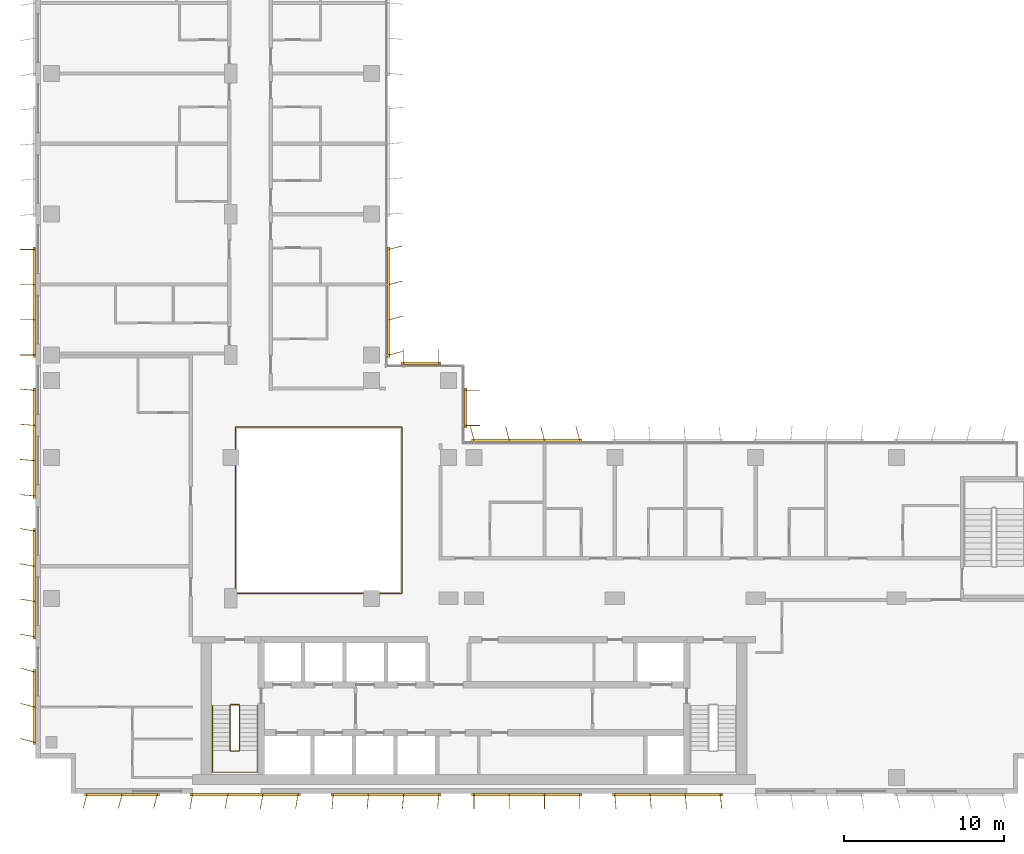
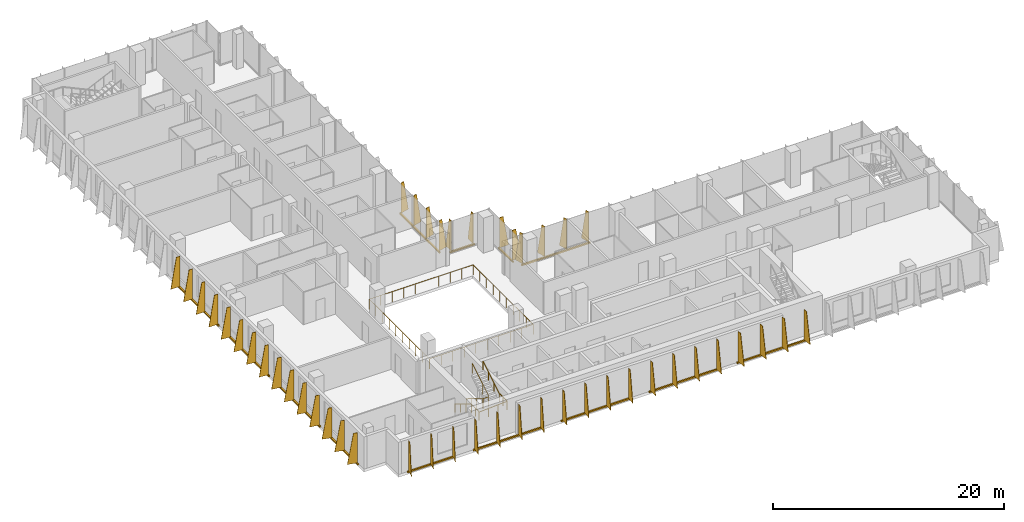
# One storey, part 19 of 21: 13 shading devices, 3 railings.
"""IFC4 building model written with IfcOpenShell, lengths in metres."""

from ifc_helpers import new_model, si_unit, direction, frame, origin, origin_2d, place, context, subcontext, project, spatial, polyline, rectangle, circle, outline, extrude, source, transform, mapped, material, layer, layer_set, type_object, element, save


model = new_model("IFC4")

# Units and contexts
model_context = context("Model", 3, precision=1e-05, world=origin(), true_north=direction((0.0, 1.0)))
body_context = subcontext(model_context, "Body", "Model", "MODEL_VIEW")
ifc_project = project(units=[si_unit("LENGTHUNIT", "METRE"), si_unit("AREAUNIT", "SQUARE_METRE"), si_unit("VOLUMEUNIT", "CUBIC_METRE"), si_unit("PLANEANGLEUNIT", "RADIAN"), si_unit("MASSUNIT", "GRAM", prefix="KILO")], contexts=[model_context])

# Site, building, storey
site_placement = place(None, origin())
site = spatial("IfcSite", under=ifc_project, at=site_placement, CompositionType="ELEMENT")
building_placement = place(site_placement, origin())
building = spatial("IfcBuilding", under=site, at=building_placement, Name="Kemantara Hotel Tower", CompositionType="ELEMENT")
storey_placement = place(building_placement, frame((0.0, 0.0, 182.699951171875)))
storey = spatial("IfcBuildingStorey", under=building, at=storey_placement, Name="L45", CompositionType="ELEMENT", Elevation=182.699951171875)

# Railings
ifc_material_1 = material(Name="Stainless steel and laminated glass balustrade", Category="steel")
railing_type_1 = type_object("IfcRailingType", Name="ATRIUM GUARD 1100", PredefinedType="GUARDRAIL", material=ifc_material_1)
railing_1_placement = place(storey_placement, frame((12.56005859375, 12.5, 0.0)))
element("IfcRailing", 1, at=railing_1_placement, inside=storey, type_object=railing_type_1, Name="ATRIUM GUARD L45", PredefinedType="GUARDRAIL", context=body_context, shape_type="SweptSolid", body=[
    extrude(circle(Radius=0.02490234375, at=origin_2d()), frame((0.0, 0.0, 1.0751953125), z_axis=(1.0, 0.0, 0.0), x_axis=(0.0, 1.0, 0.0)), (0.0, 0.0, 1.0), 10.33984375),
    extrude(circle(Radius=0.02490234375, at=origin_2d()), frame((10.33984375, 0.0, 1.0751953125), z_axis=(0.0, 1.0, 0.0), x_axis=(-1.0, 0.0, 0.0)), (0.0, 0.0, 1.0), 10.39990234375),
    extrude(circle(Radius=0.02490234375, at=origin_2d()), frame((10.33984375, 10.39990234375, 1.0751953125), z_axis=(-1.0, 0.0, 0.0), x_axis=(0.0, -1.0, 0.0)), (0.0, 0.0, 1.0), 10.39990234375),
    extrude(circle(Radius=0.02490234375, at=origin_2d()), frame((-0.06005859375, 10.39990234375, 1.0751953125), z_axis=(0.0, -1.0, 0.0), x_axis=(1.0, 0.0, 0.0)), (0.0, 0.0, 1.0), 10.39990234375),
    extrude(circle(Radius=0.02001953125, at=origin_2d()), origin(), (0.0, 0.0, 1.0), 1.050048828125),
    extrude(circle(Radius=0.02001953125, at=origin_2d()), frame((1.14892578125, 0.0, 0.0)), (0.0, 0.0, 1.0), 1.050048828125),
    extrude(circle(Radius=0.02001953125, at=origin_2d()), frame((2.2978515625, 0.0, 0.0)), (0.0, 0.0, 1.0), 1.050048828125),
    extrude(circle(Radius=0.02001953125, at=origin_2d()), frame((3.446533203125, 0.0, 0.0)), (0.0, 0.0, 1.0), 1.050048828125),
    extrude(circle(Radius=0.02001953125, at=origin_2d()), frame((4.595458984375, 0.0, 0.0)), (0.0, 0.0, 1.0), 1.050048828125),
    extrude(circle(Radius=0.02001953125, at=origin_2d()), frame((5.744384765625, 0.0, 0.0)), (0.0, 0.0, 1.0), 1.050048828125),
    extrude(circle(Radius=0.02001953125, at=origin_2d()), frame((6.893310546875, 0.0, 0.0)), (0.0, 0.0, 1.0), 1.050048828125),
    extrude(circle(Radius=0.02001953125, at=origin_2d()), frame((8.0419921875, 0.0, 0.0)), (0.0, 0.0, 1.0), 1.050048828125),
    extrude(circle(Radius=0.02001953125, at=origin_2d()), frame((9.19091796875, 0.0, 0.0)), (0.0, 0.0, 1.0), 1.050048828125),
    extrude(circle(Radius=0.02001953125, at=origin_2d()), frame((10.33984375, 0.0, 0.0)), (0.0, 0.0, 1.0), 1.050048828125),
    extrude(circle(Radius=0.02001953125, at=origin_2d()), frame((10.33984375, 1.155517578125, 0.0)), (0.0, 0.0, 1.0), 1.050048828125),
    extrude(circle(Radius=0.02001953125, at=origin_2d()), frame((10.33984375, 2.31103515625, 0.0)), (0.0, 0.0, 1.0), 1.050048828125),
    extrude(circle(Radius=0.02001953125, at=origin_2d()), frame((10.33984375, 3.466552734375, 0.0)), (0.0, 0.0, 1.0), 1.050048828125),
    extrude(circle(Radius=0.02001953125, at=origin_2d()), frame((10.33984375, 4.6220703125, 0.0)), (0.0, 0.0, 1.0), 1.050048828125),
    extrude(circle(Radius=0.02001953125, at=origin_2d()), frame((10.33984375, 5.77783203125, 0.0)), (0.0, 0.0, 1.0), 1.050048828125),
    extrude(circle(Radius=0.02001953125, at=origin_2d()), frame((10.33984375, 6.933349609375, 0.0)), (0.0, 0.0, 1.0), 1.050048828125),
    extrude(circle(Radius=0.02001953125, at=origin_2d()), frame((10.33984375, 8.0888671875, 0.0)), (0.0, 0.0, 1.0), 1.050048828125),
    extrude(circle(Radius=0.02001953125, at=origin_2d()), frame((10.33984375, 9.244384765625, 0.0)), (0.0, 0.0, 1.0), 1.050048828125),
    extrude(circle(Radius=0.02001953125, at=origin_2d()), frame((10.33984375, 10.39990234375, 0.0)), (0.0, 0.0, 1.0), 1.050048828125),
    extrude(circle(Radius=0.02001953125, at=origin_2d()), frame((9.184326171875, 10.39990234375, 0.0)), (0.0, 0.0, 1.0), 1.050048828125),
    extrude(circle(Radius=0.02001953125, at=origin_2d()), frame((8.02880859375, 10.39990234375, 0.0)), (0.0, 0.0, 1.0), 1.050048828125),
    extrude(circle(Radius=0.02001953125, at=origin_2d()), frame((6.873291015625, 10.39990234375, 0.0)), (0.0, 0.0, 1.0), 1.050048828125),
    extrude(circle(Radius=0.02001953125, at=origin_2d()), frame((5.7177734375, 10.39990234375, 0.0)), (0.0, 0.0, 1.0), 1.050048828125),
    extrude(circle(Radius=0.02001953125, at=origin_2d()), frame((4.56201171875, 10.39990234375, 0.0)), (0.0, 0.0, 1.0), 1.050048828125),
    extrude(circle(Radius=0.02001953125, at=origin_2d()), frame((3.406494140625, 10.39990234375, 0.0)), (0.0, 0.0, 1.0), 1.050048828125),
    extrude(circle(Radius=0.02001953125, at=origin_2d()), frame((2.2509765625, 10.39990234375, 0.0)), (0.0, 0.0, 1.0), 1.050048828125),
    extrude(circle(Radius=0.02001953125, at=origin_2d()), frame((1.095458984375, 10.39990234375, 0.0)), (0.0, 0.0, 1.0), 1.050048828125),
    extrude(circle(Radius=0.02001953125, at=origin_2d()), frame((-0.06005859375, 10.39990234375, 0.0)), (0.0, 0.0, 1.0), 1.050048828125),
    extrude(circle(Radius=0.02001953125, at=origin_2d()), frame((-0.06005859375, 9.244384765625, 0.0)), (0.0, 0.0, 1.0), 1.050048828125),
    extrude(circle(Radius=0.02001953125, at=origin_2d()), frame((-0.06005859375, 8.0888671875, 0.0)), (0.0, 0.0, 1.0), 1.050048828125),
    extrude(circle(Radius=0.02001953125, at=origin_2d()), frame((-0.06005859375, 6.933349609375, 0.0)), (0.0, 0.0, 1.0), 1.050048828125),
    extrude(circle(Radius=0.02001953125, at=origin_2d()), frame((-0.06005859375, 5.77783203125, 0.0)), (0.0, 0.0, 1.0), 1.050048828125),
    extrude(circle(Radius=0.02001953125, at=origin_2d()), frame((-0.06005859375, 4.6220703125, 0.0)), (0.0, 0.0, 1.0), 1.050048828125),
    extrude(circle(Radius=0.02001953125, at=origin_2d()), frame((-0.06005859375, 3.466552734375, 0.0)), (0.0, 0.0, 1.0), 1.050048828125),
    extrude(circle(Radius=0.02001953125, at=origin_2d()), frame((-0.06005859375, 2.31103515625, 0.0)), (0.0, 0.0, 1.0), 1.050048828125),
    extrude(circle(Radius=0.02001953125, at=origin_2d()), frame((-0.06005859375, 1.155517578125, 0.0)), (0.0, 0.0, 1.0), 1.050048828125),
    extrude(circle(Radius=0.02001953125, at=origin_2d()), frame((-0.06005859375, 0.0, 0.0)), (0.0, 0.0, 1.0), 1.050048828125),
])
ifc_material_2 = material(Name="Stainless steel balustrade", Category="steel")
railing_type_2 = type_object("IfcRailingType", Name="Stair guard 1100 mm", PredefinedType="GUARDRAIL", material=ifc_material_2)
railing_2_placement = place(storey_placement, frame((12.75, 5.5, 3.699951171875)))
element("IfcRailing", 2, at=railing_2_placement, inside=storey, type_object=railing_type_2, Name="L45 ST1 stair guard 1", PredefinedType="GUARDRAIL", context=body_context, shape_type="SweptSolid", body=[
    extrude(circle(Radius=0.02392578125, at=origin_2d()), frame((0.0, 0.0, 1.076171875), z_axis=(0.0, -0.857275202839, -0.514858452973), x_axis=(1.0, 0.0, 0.0)), (0.0, 0.0, 1.0), 3.26611328125),
    extrude(circle(Radius=0.02392578125, at=origin_2d()), frame((0.0, -2.800048828125, -0.60546875), z_axis=(-0.274243871929, -0.274243871929, -0.92172696468), x_axis=(0.707106781187, -0.707106781187, 0.0)), (0.0, 0.0, 1.0), 0.1826171875),
    extrude(circle(Radius=0.02392578125, at=origin_2d()), frame((-0.050048828125, -2.85009765625, -0.77392578125), z_axis=(-1.0, 0.0, 0.0), x_axis=(0.0, -1.0, 0.0)), (0.0, 0.0, 1.0), 0.5),
    extrude(circle(Radius=0.02392578125, at=origin_2d()), frame((-0.550048828125, -2.85009765625, -0.77392578125), z_axis=(-0.707106781187, 0.707106781187, 0.0), x_axis=(-0.707106781187, -0.707106781187, 0.0)), (0.0, 0.0, 1.0), 0.07080078125),
    extrude(circle(Radius=0.02392578125, at=origin_2d()), frame((-0.60009765625, -2.800048828125, -0.77392578125), z_axis=(0.0, 0.857242210791, -0.514913383045), x_axis=(-1.0, 0.0, 0.0)), (0.0, 0.0, 1.0), 3.266357421875),
    extrude(circle(Radius=0.02392578125, at=origin_2d()), frame((-0.60009765625, 0.0, -2.45556640625), z_axis=(0.274243871929, 0.274243871929, -0.92172696468), x_axis=(-0.707106781187, 0.707106781187, 0.0)), (0.0, 0.0, 1.0), 0.1826171875),
    extrude(circle(Radius=0.02392578125, at=origin_2d()), frame((-0.550048828125, 0.050048828125, -2.6240234375), z_axis=(1.0, 0.0, 0.0), x_axis=(0.0, 1.0, 0.0)), (0.0, 0.0, 1.0), 0.5),
    extrude(circle(Radius=0.02099609375, at=origin_2d()), origin(), (0.0, 0.0, 1.0), 1.052001953125),
    extrude(circle(Radius=0.02099609375, at=origin_2d()), frame((0.0, -0.933349609375, -0.560546875)), (0.0, 0.0, 1.0), 1.052001953125),
    extrude(circle(Radius=0.02099609375, at=origin_2d()), frame((0.0, -1.86669921875, -1.12109375)), (0.0, 0.0, 1.0), 1.052001953125),
    extrude(circle(Radius=0.02099609375, at=origin_2d()), frame((0.0, -2.800048828125, -1.681640625)), (0.0, 0.0, 1.0), 1.052001953125),
    extrude(circle(Radius=0.02099609375, at=origin_2d()), frame((-0.050048828125, -2.85009765625, -1.849853515625)), (0.0, 0.0, 1.0), 1.052001953125),
    extrude(circle(Radius=0.02099609375, at=origin_2d()), frame((-0.550048828125, -2.85009765625, -1.849853515625)), (0.0, 0.0, 1.0), 1.052001953125),
    extrude(circle(Radius=0.02099609375, at=origin_2d()), frame((-0.60009765625, -2.800048828125, -1.849853515625)), (0.0, 0.0, 1.0), 1.052001953125),
    extrude(circle(Radius=0.02099609375, at=origin_2d()), frame((-0.60009765625, -1.86669921875, -2.410400390625)), (0.0, 0.0, 1.0), 1.052001953125),
    extrude(circle(Radius=0.02099609375, at=origin_2d()), frame((-0.60009765625, -0.933349609375, -2.97119140625)), (0.0, 0.0, 1.0), 1.052001953125),
    extrude(circle(Radius=0.02099609375, at=origin_2d()), frame((-0.60009765625, 0.0, -3.53173828125)), (0.0, 0.0, 1.0), 1.052001953125),
    extrude(circle(Radius=0.02099609375, at=origin_2d()), frame((-0.550048828125, 0.050048828125, -3.699951171875)), (0.0, 0.0, 1.0), 1.052001953125),
    extrude(circle(Radius=0.02099609375, at=origin_2d()), frame((-0.050048828125, 0.050048828125, -3.699951171875)), (0.0, 0.0, 1.0), 1.052001953125),
])
railing_type_3 = type_object("IfcRailingType", Name="Stair handrail 900 mm", PredefinedType="HANDRAIL", material=ifc_material_2)
railing_3_placement = place(storey_placement, frame((11.050048828125, 5.5, 0.168212890625)))
element("IfcRailing", 3, at=railing_3_placement, inside=storey, type_object=railing_type_3, Name="L45 ST1 stair handrail 1", PredefinedType="HANDRAIL", context=body_context, shape_type="SweptSolid", body=[
    extrude(circle(Radius=0.02392578125, at=origin_2d()), frame((0.0, 0.0, 0.8759765625), z_axis=(0.0, -0.857242210791, 0.514913383045), x_axis=(1.0, 0.0, 0.0)), (0.0, 0.0, 1.0), 3.266357421875),
    extrude(circle(Radius=0.02392578125, at=origin_2d()), frame((0.0, -2.800048828125, 2.5576171875), z_axis=(0.0, -1.0, 0.0), x_axis=(1.0, 0.0, 0.0)), (0.0, 0.0, 1.0), 1.3798828125),
    extrude(circle(Radius=0.02392578125, at=origin_2d()), frame((0.0, -4.179931640625, 2.5576171875), z_axis=(0.998200367801, 0.0, 0.059966871865), x_axis=(0.0, 1.0, 0.0)), (0.0, 0.0, 1.0), 2.80517578125),
    extrude(circle(Radius=0.02392578125, at=origin_2d()), frame((2.800048828125, -4.179931640625, 2.72607421875), z_axis=(0.0, 1.0, 0.0), x_axis=(-1.0, 0.0, 0.0)), (0.0, 0.0, 1.0), 1.3798828125),
    extrude(circle(Radius=0.02392578125, at=origin_2d()), frame((2.800048828125, -2.800048828125, 2.72607421875), z_axis=(0.0, 0.857275202839, 0.514858452973), x_axis=(-1.0, 0.0, 0.0)), (0.0, 0.0, 1.0), 3.26611328125),
    extrude(circle(Radius=0.02099609375, at=origin_2d()), origin(), (0.0, 0.0, 1.0), 0.851806640625),
    extrude(circle(Radius=0.02099609375, at=origin_2d()), frame((0.0, -0.933349609375, 0.560546875)), (0.0, 0.0, 1.0), 0.851806640625),
    extrude(circle(Radius=0.02099609375, at=origin_2d()), frame((0.0, -1.86669921875, 1.121337890625)), (0.0, 0.0, 1.0), 0.851806640625),
    extrude(circle(Radius=0.02099609375, at=origin_2d()), frame((0.0, -2.800048828125, 1.681884765625)), (0.0, 0.0, 1.0), 0.851806640625),
    extrude(circle(Radius=0.02099609375, at=origin_2d()), frame((0.0, -3.489990234375, 1.681884765625)), (0.0, 0.0, 1.0), 0.851806640625),
    extrude(circle(Radius=0.02099609375, at=origin_2d()), frame((0.0, -4.179931640625, 1.681884765625)), (0.0, 0.0, 1.0), 0.851806640625),
    extrude(circle(Radius=0.02099609375, at=origin_2d()), frame((0.933349609375, -4.179931640625, 1.738037109375)), (0.0, 0.0, 1.0), 0.851806640625),
    extrude(circle(Radius=0.02099609375, at=origin_2d()), frame((1.86669921875, -4.179931640625, 1.7939453125)), (0.0, 0.0, 1.0), 0.851806640625),
    extrude(circle(Radius=0.02099609375, at=origin_2d()), frame((2.800048828125, -4.179931640625, 1.85009765625)), (0.0, 0.0, 1.0), 0.851806640625),
    extrude(circle(Radius=0.02099609375, at=origin_2d()), frame((2.800048828125, -3.489990234375, 1.85009765625)), (0.0, 0.0, 1.0), 0.851806640625),
    extrude(circle(Radius=0.02099609375, at=origin_2d()), frame((2.800048828125, -2.800048828125, 1.85009765625)), (0.0, 0.0, 1.0), 0.851806640625),
    extrude(circle(Radius=0.02099609375, at=origin_2d()), frame((2.800048828125, -1.86669921875, 2.41064453125)), (0.0, 0.0, 1.0), 0.851806640625),
    extrude(circle(Radius=0.02099609375, at=origin_2d()), frame((2.800048828125, -0.933349609375, 2.97119140625)), (0.0, 0.0, 1.0), 0.851806640625),
    extrude(circle(Radius=0.02099609375, at=origin_2d()), frame((2.800048828125, 0.0, 3.53173828125)), (0.0, 0.0, 1.0), 0.851806640625),
])

# Shading devices
ifc_material_3 = material(Name="Perforated aluminium plate 4 mm bronze anodised", Category="aluminium")
ifc_layer_1 = layer(ifc_material_3, 0.0400390625)
ifc_layer_set_1 = layer_set([ifc_layer_1], Name="Perforated aluminium plate 4 mm bronze anodised")
shading_device_type_1 = type_object("IfcShadingDeviceType", Name="SCREEN FIN CASSETTE, 3 BLADES AT -15.0 DEG, 3200 HIGH", PredefinedType="USERDEFINED", material=ifc_layer_set_1)
shared_shape_1 = source(origin(), body_context, "Body", "SweptSolid", [
    extrude(rectangle(XDim=4.699951171875, YDim=0.14990234375, at=origin_2d()), frame((2.199951171875, -0.074951171875, -0.14990234375), z_axis=(0.0, 0.0, 1.0), x_axis=(1.0, 0.0, 0.0)), (0.0, 0.0, 1.0), 0.14990234375),
    extrude(outline(polyline([(0.0, 0.0), (0.89990234375, 0.0), (0.35009765625, 3.199951171875), (0.0, 3.199951171875), (0.0, 0.0)])), frame((0.019287109375, -0.080078125, 0.0), z_axis=(-0.966437683387, 0.256901156343, 0.0), x_axis=(-0.256901156343, -0.966437683387, 0.0)), (0.0, 0.0, 1.0), 0.039794921875),
    extrude(outline(polyline([(0.0, 0.0), (0.89990234375, 0.0), (0.35009765625, 3.199951171875), (0.0, 3.199951171875), (0.0, 0.0)])), frame((2.21923828125, -0.080078125, 0.0), z_axis=(-0.966437683387, 0.256901156343, 0.0), x_axis=(-0.256901156343, -0.966437683387, 0.0)), (0.0, 0.0, 1.0), 0.039794921875),
    extrude(outline(polyline([(0.0, 0.0), (0.89990234375, 0.0), (0.35009765625, 3.199951171875), (0.0, 3.199951171875), (0.0, 0.0)])), frame((4.41943359375, -0.080078125, 0.0), z_axis=(-0.966837822169, 0.255391122837, 0.0), x_axis=(-0.255391122837, -0.966837822169, 0.0)), (0.0, 0.0, 1.0), 0.0400390625),
])
for number, where, z_axis, x_axis, name in (
    (4, (0.0, 7.60009765625, 0.10009765625), (0.0, 0.0, 1.0), (0.0, -1.0, 0.0), "SCREEN FIN CASSETTE L45 T3-R05-7"),
    (5, (3.199951171875, 0.0, 0.10009765625), (0.0, 0.0, 1.0), (1.0, 0.0, 0.0), "SCREEN FIN CASSETTE L45 T3-R08-1"),
):
    element("IfcShadingDevice", number, at=place(storey_placement, frame(where, z_axis=z_axis, x_axis=x_axis)), inside=storey, type_object=shading_device_type_1, Name=name, ObjectType="SCREEN FIN", PredefinedType="USERDEFINED", context=body_context, shape_type="MappedRepresentation", body=[
        mapped(shared_shape_1, transform((0.0, 0.0, 0.0))),
    ])
ifc_layer_2 = layer(ifc_material_3, 0.0400390625)
ifc_layer_set_2 = layer_set([ifc_layer_2], Name="Perforated aluminium plate 4 mm bronze anodised")
shading_device_type_2 = type_object("IfcShadingDeviceType", Name="SCREEN FIN CASSETTE, 4 BLADES AT -10.0 DEG, 3200 HIGH", PredefinedType="USERDEFINED", material=ifc_layer_set_2)
shared_shape_2 = source(origin(), body_context, "Body", "SweptSolid", [
    extrude(rectangle(XDim=6.89990234375, YDim=0.14990234375, at=origin_2d()), frame((3.300048828125, -0.074951171875, -0.14990234375), z_axis=(0.0, 0.0, 1.0), x_axis=(1.0, 0.0, 0.0)), (0.0, 0.0, 1.0), 0.14990234375),
    extrude(outline(polyline([(0.0, 0.0), (0.89990234375, 0.0), (0.35009765625, 3.199951171875), (0.0, 3.199951171875), (0.0, 0.0)])), frame((0.019775390625, -0.078369140625, 0.0), z_axis=(-0.985389793052, 0.170314285219, 0.0), x_axis=(-0.170314285219, -0.985389793052, 0.0)), (0.0, 0.0, 1.0), 0.0400390625),
    extrude(outline(polyline([(0.0, 0.0), (0.89990234375, 0.0), (0.35009765625, 3.199951171875), (0.0, 3.199951171875), (0.0, 0.0)])), frame((2.2197265625, -0.078369140625, 0.0), z_axis=(-0.98521175482, 0.171341174751, 0.0), x_axis=(-0.171341174751, -0.98521175482, 0.0)), (0.0, 0.0, 1.0), 0.039794921875),
    extrude(outline(polyline([(0.0, 0.0), (0.89990234375, 0.0), (0.35009765625, 3.199951171875), (0.0, 3.199951171875), (0.0, 0.0)])), frame((4.419677734375, -0.078369140625, 0.0), z_axis=(-0.98521175482, 0.171341174751, 0.0), x_axis=(-0.171341174751, -0.98521175482, 0.0)), (0.0, 0.0, 1.0), 0.039794921875),
    extrude(outline(polyline([(0.0, 0.0), (0.89990234375, 0.0), (0.35009765625, 3.199951171875), (0.0, 3.199951171875), (0.0, 0.0)])), frame((6.61962890625, -0.078369140625, 0.0), z_axis=(-0.98521175482, 0.171341174751, 0.0), x_axis=(-0.171341174751, -0.98521175482, 0.0)), (0.0, 0.0, 1.0), 0.039794921875),
])
for number, where, z_axis, x_axis, name in (
    (6, (0.0, 16.39990234375, 0.10009765625), (0.0, 0.0, 1.0), (0.0, -1.0, 0.0), "SCREEN FIN CASSETTE L45 T3-R05-6"),
    (7, (9.800048828125, 0.0, 0.10009765625), (0.0, 0.0, 1.0), (1.0, 0.0, 0.0), "SCREEN FIN CASSETTE L45 T3-R08-2"),
):
    element("IfcShadingDevice", number, at=place(storey_placement, frame(where, z_axis=z_axis, x_axis=x_axis)), inside=storey, type_object=shading_device_type_2, Name=name, ObjectType="SCREEN FIN", PredefinedType="USERDEFINED", context=body_context, shape_type="MappedRepresentation", body=[
        mapped(shared_shape_2, transform((0.0, 0.0, 0.0))),
    ])
ifc_layer_3 = layer(ifc_material_3, 0.0400390625)
ifc_layer_set_3 = layer_set([ifc_layer_3], Name="Perforated aluminium plate 4 mm bronze anodised")
shading_device_type_3 = type_object("IfcShadingDeviceType", Name="SCREEN FIN CASSETTE, 4 BLADES AT -5.0 DEG, 3200 HIGH", PredefinedType="USERDEFINED", material=ifc_layer_set_3)
shared_shape_3 = source(origin(), body_context, "Body", "SweptSolid", [
    extrude(rectangle(XDim=6.89990234375, YDim=0.14990234375, at=origin_2d()), frame((3.300048828125, -0.074951171875, -0.14990234375), z_axis=(0.0, 0.0, 1.0), x_axis=(1.0, 0.0, 0.0)), (0.0, 0.0, 1.0), 0.14990234375),
    extrude(outline(polyline([(0.0, 0.0), (0.89990234375, 0.0), (0.35009765625, 3.199951171875), (0.0, 3.199951171875), (0.0, 0.0)])), frame((0.02001953125, -0.07666015625, 0.0), z_axis=(-0.996376129781, 0.085056498884, 0.0), x_axis=(-0.085056498884, -0.996376129781, 0.0)), (0.0, 0.0, 1.0), 0.040283203125),
    extrude(outline(polyline([(0.0, 0.0), (0.89990234375, 0.0), (0.35009765625, 3.199951171875), (0.0, 3.199951171875), (0.0, 0.0)])), frame((2.219970703125, -0.07666015625, 0.0), z_axis=(-0.996331773833, 0.085574508182, 0.0), x_axis=(-0.085574508182, -0.996331773833, 0.0)), (0.0, 0.0, 1.0), 0.0400390625),
    extrude(outline(polyline([(0.0, 0.0), (0.89990234375, 0.0), (0.35009765625, 3.199951171875), (0.0, 3.199951171875), (0.0, 0.0)])), frame((4.419921875, -0.07666015625, 0.0), z_axis=(-0.996331773833, 0.085574508182, 0.0), x_axis=(-0.085574508182, -0.996331773833, 0.0)), (0.0, 0.0, 1.0), 0.0400390625),
    extrude(outline(polyline([(0.0, 0.0), (0.89990234375, 0.0), (0.35009765625, 3.199951171875), (0.0, 3.199951171875), (0.0, 0.0)])), frame((6.619873046875, -0.07666015625, 0.0), z_axis=(-0.996331773833, 0.085574508182, 0.0), x_axis=(-0.085574508182, -0.996331773833, 0.0)), (0.0, 0.0, 1.0), 0.0400390625),
])
for number, where, z_axis, x_axis, name in (
    (8, (0.0, 25.199951171875, 0.10009765625), (0.0, 0.0, 1.0), (0.0, -1.0, 0.0), "SCREEN FIN CASSETTE L45 T3-R05-5"),
    (9, (18.60009765625, 0.0, 0.10009765625), (0.0, 0.0, 1.0), (1.0, 0.0, 0.0), "SCREEN FIN CASSETTE L45 T3-R08-3"),
):
    element("IfcShadingDevice", number, at=place(storey_placement, frame(where, z_axis=z_axis, x_axis=x_axis)), inside=storey, type_object=shading_device_type_3, Name=name, ObjectType="SCREEN FIN", PredefinedType="USERDEFINED", context=body_context, shape_type="MappedRepresentation", body=[
        mapped(shared_shape_3, transform((0.0, 0.0, 0.0))),
    ])
ifc_layer_4 = layer(ifc_material_3, 0.0400390625)
ifc_layer_set_4 = layer_set([ifc_layer_4], Name="Perforated aluminium plate 4 mm bronze anodised")
shading_device_type_4 = type_object("IfcShadingDeviceType", Name="SCREEN FIN CASSETTE, 4 BLADES AT +0.0 DEG, 3200 HIGH", PredefinedType="USERDEFINED", material=ifc_layer_set_4)
shared_shape_4 = source(origin(), body_context, "Body", "SweptSolid", [
    extrude(rectangle(XDim=6.89990234375, YDim=0.14990234375, at=origin_2d()), frame((3.300048828125, -0.074951171875, -0.14990234375), z_axis=(0.0, 0.0, 1.0), x_axis=(1.0, 0.0, 0.0)), (0.0, 0.0, 1.0), 0.14990234375),
    extrude(outline(polyline([(0.0, 0.0), (0.89990234375, 0.0), (0.35009765625, 3.199951171875), (0.0, 3.199951171875), (0.0, 0.0)])), frame((0.02001953125, -0.074951171875, 0.0), z_axis=(-1.0, 0.0, 0.0), x_axis=(0.0, -1.0, 0.0)), (0.0, 0.0, 1.0), 0.0400390625),
    extrude(outline(polyline([(0.0, 0.0), (0.89990234375, 0.0), (0.35009765625, 3.199951171875), (0.0, 3.199951171875), (0.0, 0.0)])), frame((2.219970703125, -0.074951171875, 0.0), z_axis=(-1.0, 0.0, 0.0), x_axis=(0.0, -1.0, 0.0)), (0.0, 0.0, 1.0), 0.0400390625),
    extrude(outline(polyline([(0.0, 0.0), (0.89990234375, 0.0), (0.35009765625, 3.199951171875), (0.0, 3.199951171875), (0.0, 0.0)])), frame((4.419921875, -0.074951171875, 0.0), z_axis=(-1.0, 0.0, 0.0), x_axis=(0.0, -1.0, 0.0)), (0.0, 0.0, 1.0), 0.0400390625),
    extrude(outline(polyline([(0.0, 0.0), (0.89990234375, 0.0), (0.35009765625, 3.199951171875), (0.0, 3.199951171875), (0.0, 0.0)])), frame((6.6201171875, -0.074951171875, 0.0), z_axis=(-1.0, 0.0, 0.0), x_axis=(0.0, -1.0, 0.0)), (0.0, 0.0, 1.0), 0.0400390625),
])
for number, where, z_axis, x_axis, name in (
    (10, (0.0, 34.0, 0.10009765625), (0.0, 0.0, 1.0), (0.0, -1.0, 0.0), "SCREEN FIN CASSETTE L45 T3-R05-4"),
    (11, (27.39990234375, 0.0, 0.10009765625), (0.0, 0.0, 1.0), (1.0, 0.0, 0.0), "SCREEN FIN CASSETTE L45 T3-R08-4"),
):
    element("IfcShadingDevice", number, at=place(storey_placement, frame(where, z_axis=z_axis, x_axis=x_axis)), inside=storey, type_object=shading_device_type_4, Name=name, ObjectType="SCREEN FIN", PredefinedType="USERDEFINED", context=body_context, shape_type="MappedRepresentation", body=[
        mapped(shared_shape_4, transform((0.0, 0.0, 0.0))),
    ])
ifc_layer_5 = layer(ifc_material_3, 0.0400390625)
ifc_layer_set_5 = layer_set([ifc_layer_5], Name="Perforated aluminium plate 4 mm bronze anodised")
shading_device_type_5 = type_object("IfcShadingDeviceType", Name="SCREEN FIN CASSETTE, 4 BLADES AT +5.0 DEG, 3200 HIGH", PredefinedType="USERDEFINED", material=ifc_layer_set_5)
shared_shape_5 = source(origin(), body_context, "Body", "SweptSolid", [
    extrude(rectangle(XDim=6.89990234375, YDim=0.14990234375, at=origin_2d()), frame((3.300048828125, -0.074951171875, -0.14990234375), z_axis=(0.0, 0.0, 1.0), x_axis=(1.0, 0.0, 0.0)), (0.0, 0.0, 1.0), 0.14990234375),
    extrude(outline(polyline([(0.0, 0.0), (0.89990234375, 0.0), (0.35009765625, 3.199951171875), (0.0, 3.199951171875), (0.0, 0.0)])), frame((0.02001953125, -0.0732421875, 0.0), z_axis=(-0.996376129781, -0.085056498884, 0.0), x_axis=(0.085056498884, -0.996376129781, 0.0)), (0.0, 0.0, 1.0), 0.040283203125),
    extrude(outline(polyline([(0.0, 0.0), (0.89990234375, 0.0), (0.35009765625, 3.199951171875), (0.0, 3.199951171875), (0.0, 0.0)])), frame((2.219970703125, -0.0732421875, 0.0), z_axis=(-0.996331773833, -0.085574508182, 0.0), x_axis=(0.085574508182, -0.996331773833, 0.0)), (0.0, 0.0, 1.0), 0.0400390625),
    extrude(outline(polyline([(0.0, 0.0), (0.89990234375, 0.0), (0.35009765625, 3.199951171875), (0.0, 3.199951171875), (0.0, 0.0)])), frame((4.419921875, -0.0732421875, 0.0), z_axis=(-0.996331773833, -0.085574508182, 0.0), x_axis=(0.085574508182, -0.996331773833, 0.0)), (0.0, 0.0, 1.0), 0.0400390625),
    extrude(outline(polyline([(0.0, 0.0), (0.89990234375, 0.0), (0.35009765625, 3.199951171875), (0.0, 3.199951171875), (0.0, 0.0)])), frame((6.619873046875, -0.0732421875, 0.0), z_axis=(-0.996331773833, -0.085574508182, 0.0), x_axis=(0.085574508182, -0.996331773833, 0.0)), (0.0, 0.0, 1.0), 0.0400390625),
])
shading_device_placement = place(storey_placement, frame((36.199951171875, 0.0, 0.10009765625), z_axis=(0.0, 0.0, 1.0), x_axis=(1.0, 0.0, 0.0)))
element("IfcShadingDevice", 12, at=shading_device_placement, inside=storey, type_object=shading_device_type_5, Name="SCREEN FIN CASSETTE L45 T3-R08-5", ObjectType="SCREEN FIN", PredefinedType="USERDEFINED", context=body_context, shape_type="MappedRepresentation", body=[
    mapped(shared_shape_5, transform((0.0, 0.0, 0.0))),
])
ifc_layer_6 = layer(ifc_material_3, 0.0400390625)
ifc_layer_set_6 = layer_set([ifc_layer_6], Name="Perforated aluminium plate 4 mm bronze anodised")
shading_device_type_6 = type_object("IfcShadingDeviceType", Name="SCREEN FIN CASSETTE, 4 BLADES AT +15.0 DEG, 3200 HIGH", PredefinedType="USERDEFINED", material=ifc_layer_set_6)
shared_shape_6 = source(origin(), body_context, "Body", "SweptSolid", [
    extrude(rectangle(XDim=6.89990234375, YDim=0.14990234375, at=origin_2d()), frame((3.300048828125, -0.074951171875, -0.14990234375), z_axis=(0.0, 0.0, 1.0), x_axis=(1.0, 0.0, 0.0)), (0.0, 0.0, 1.0), 0.14990234375),
    extrude(outline(polyline([(0.0, 0.0), (0.89990234375, 0.0), (0.35009765625, 3.199951171875), (0.0, 3.199951171875), (0.0, 0.0)])), frame((0.019287109375, -0.06982421875, 0.0), z_axis=(-0.966437683387, -0.256901156343, 0.0), x_axis=(0.256901156343, -0.966437683387, 0.0)), (0.0, 0.0, 1.0), 0.039794921875),
    extrude(outline(polyline([(0.0, 0.0), (0.89990234375, 0.0), (0.35009765625, 3.199951171875), (0.0, 3.199951171875), (0.0, 0.0)])), frame((2.21923828125, -0.06982421875, 0.0), z_axis=(-0.966437683387, -0.256901156343, 0.0), x_axis=(0.256901156343, -0.966437683387, 0.0)), (0.0, 0.0, 1.0), 0.039794921875),
    extrude(outline(polyline([(0.0, 0.0), (0.89990234375, 0.0), (0.35009765625, 3.199951171875), (0.0, 3.199951171875), (0.0, 0.0)])), frame((4.41943359375, -0.06982421875, 0.0), z_axis=(-0.966837822169, -0.255391122837, 0.0), x_axis=(0.255391122837, -0.966837822169, 0.0)), (0.0, 0.0, 1.0), 0.0400390625),
    extrude(outline(polyline([(0.0, 0.0), (0.89990234375, 0.0), (0.35009765625, 3.199951171875), (0.0, 3.199951171875), (0.0, 0.0)])), frame((6.619384765625, -0.06982421875, 0.0), z_axis=(-0.966837822169, -0.255391122837, 0.0), x_axis=(0.255391122837, -0.966837822169, 0.0)), (0.0, 0.0, 1.0), 0.0400390625),
])
for number, where, z_axis, x_axis, name in (
    (13, (34.0, 22.0, 0.10009765625), (0.0, 0.0, 1.0), (-1.0, 0.0, 0.0), "SCREEN FIN CASSETTE L45 T3-R14-4"),
    (14, (22.0, 27.39990234375, 0.10009765625), (0.0, 0.0, 1.0), (0.0, 1.0, 0.0), "SCREEN FIN CASSETTE L45 T3-R17-1"),
):
    element("IfcShadingDevice", number, at=place(storey_placement, frame(where, z_axis=z_axis, x_axis=x_axis)), inside=storey, type_object=shading_device_type_6, Name=name, ObjectType="SCREEN FIN", PredefinedType="USERDEFINED", context=body_context, shape_type="MappedRepresentation", body=[
        mapped(shared_shape_6, transform((0.0, 0.0, 0.0))),
    ])
ifc_layer_7 = layer(ifc_material_3, 0.0400390625)
ifc_layer_set_7 = layer_set([ifc_layer_7], Name="Perforated aluminium plate 4 mm bronze anodised")
shading_device_type_7 = type_object("IfcShadingDeviceType", Name="SCREEN FIN CASSETTE, 2 BLADES AT +0.0 DEG, 3200 HIGH", PredefinedType="USERDEFINED", material=ifc_layer_set_7)
shared_shape_7 = source(origin(), body_context, "Body", "SweptSolid", [
    extrude(rectangle(XDim=2.5, YDim=0.14990234375, at=origin_2d()), frame((1.10009765625, -0.074951171875, -0.14990234375), z_axis=(0.0, 0.0, 1.0), x_axis=(1.0, 0.0, 0.0)), (0.0, 0.0, 1.0), 0.14990234375),
    extrude(outline(polyline([(0.0, 0.0), (0.89990234375, 0.0), (0.35009765625, 3.199951171875), (0.0, 3.199951171875), (0.0, 0.0)])), frame((0.02001953125, -0.074951171875, 0.0), z_axis=(-1.0, 0.0, 0.0), x_axis=(0.0, -1.0, 0.0)), (0.0, 0.0, 1.0), 0.0400390625),
    extrude(outline(polyline([(0.0, 0.0), (0.89990234375, 0.0), (0.35009765625, 3.199951171875), (0.0, 3.199951171875), (0.0, 0.0)])), frame((2.219970703125, -0.074951171875, 0.0), z_axis=(-1.0, 0.0, 0.0), x_axis=(0.0, -1.0, 0.0)), (0.0, 0.0, 1.0), 0.0400390625),
])
for number, where, z_axis, x_axis, name in (
    (15, (26.800048828125, 23.0, 0.10009765625), (0.0, 0.0, 1.0), (0.0, 1.0, 0.0), "SCREEN FIN CASSETTE L45 T3-R15-1"),
    (16, (25.199951171875, 26.800048828125, 0.10009765625), (0.0, 0.0, 1.0), (-1.0, 0.0, 0.0), "SCREEN FIN CASSETTE L45 T3-R16-1"),
):
    element("IfcShadingDevice", number, at=place(storey_placement, frame(where, z_axis=z_axis, x_axis=x_axis)), inside=storey, type_object=shading_device_type_7, Name=name, ObjectType="SCREEN FIN", PredefinedType="USERDEFINED", context=body_context, shape_type="MappedRepresentation", body=[
        mapped(shared_shape_7, transform((0.0, 0.0, 0.0))),
    ])

save(model, "model.ifc")
